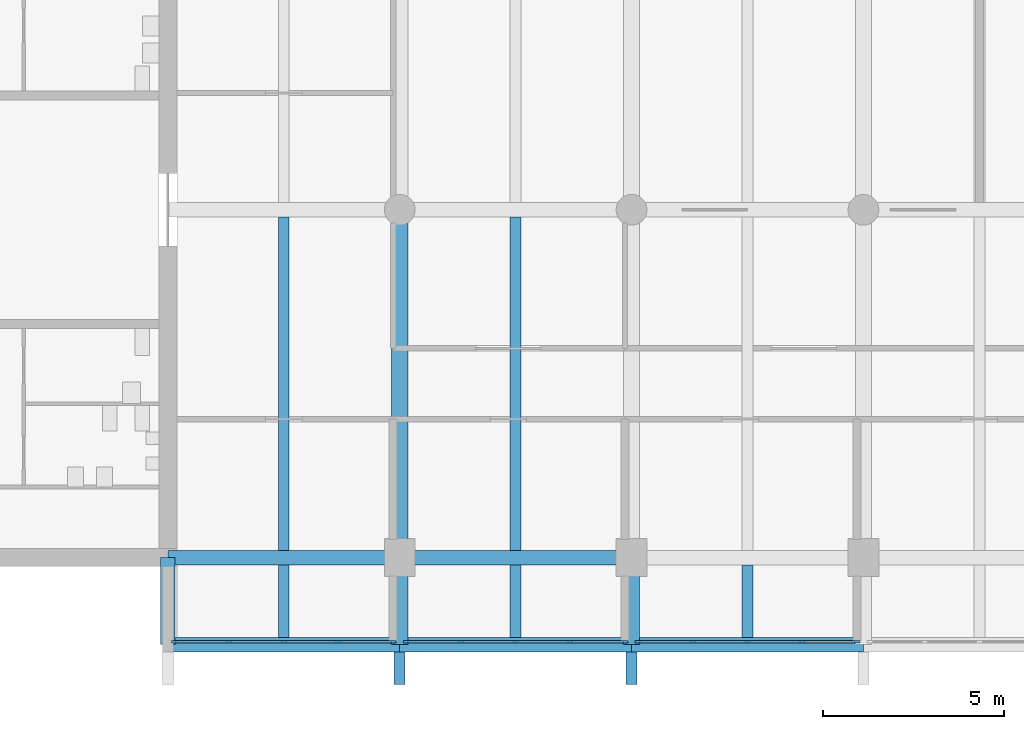
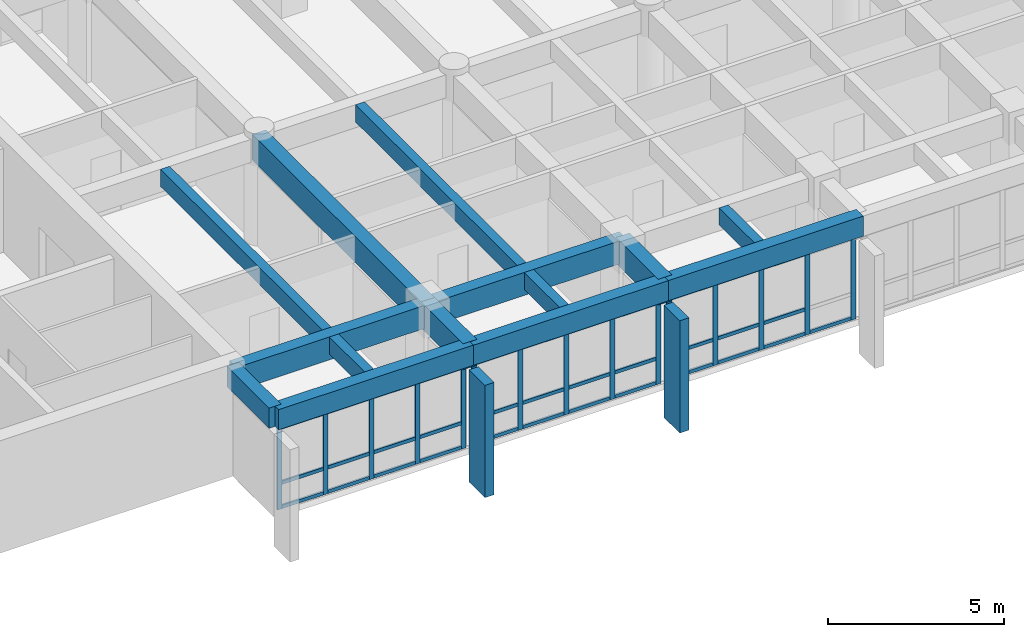
# One storey, part 2 of 15: 51 members, 14 beams, 3 elements without a shape of their own.
"""IFC4 building model written with IfcOpenShell, lengths in metres."""

from ifc_helpers import new_model, si_unit, direction, frame, origin, origin_2d, place, context, subcontext, project, spatial, rectangle, extrude, material, layer, layer_set, material_profile, profile_set, type_object, element, aggregate, save


model = new_model("IFC4")

# Units and contexts
model_context = context("Model", 3, precision=1e-05, world=origin(), true_north=direction((0.0, 1.0)))
body_context = subcontext(model_context, "Body", "Model", "MODEL_VIEW")
ifc_project = project(units=[si_unit("LENGTHUNIT", "METRE"), si_unit("AREAUNIT", "SQUARE_METRE"), si_unit("VOLUMEUNIT", "CUBIC_METRE"), si_unit("PLANEANGLEUNIT", "RADIAN"), si_unit("MASSUNIT", "GRAM", prefix="KILO")], contexts=[model_context])

# Site, building, storey
site_placement = place(None, origin())
site = spatial("IfcSite", under=ifc_project, at=site_placement, CompositionType="ELEMENT")
building_placement = place(site_placement, origin())
building = spatial("IfcBuilding", under=site, at=building_placement, Name="Fogon Plaza Fire Station and Headquarters Tower", CompositionType="ELEMENT")
storey_placement = place(building_placement, frame((0.0, 0.0, 56.10009765625)))
storey = spatial("IfcBuildingStorey", under=building, at=storey_placement, Name="L14", CompositionType="ELEMENT", Elevation=56.10009765625)

# Beams
ifc_material_1 = material(Name="Concrete C40", Category="concrete")
ifc_material_profile_1 = material_profile(ifc_material_1, rectangle(XDim=0.39990234375, YDim=0.699951171875, at=origin_2d()), Name="RC 400x700")
ifc_profile_set_1 = profile_set([ifc_material_profile_1], Name="Concrete C40")
beam_type_1 = type_object("IfcBeamType", Name="BEAM RC 400x700", PredefinedType="BEAM", material=ifc_profile_set_1)
for number, where, z_axis, x_axis, name in (
    (1, (25.60009765625, 31.199951171875, 3.329833984375), (1.0, 0.0, 0.0), (0.0, 1.0, 0.0), "beam-L14-039"),
    (2, (32.0, 31.199951171875, 3.329833984375), (1.0, 0.0, 0.0), (0.0, 1.0, 0.0), "beam-L14-040"),
):
    element("IfcBeam", number, at=place(storey_placement, frame(where, z_axis=z_axis, x_axis=x_axis)), inside=storey, type_object=beam_type_1, Name=name, PredefinedType="BEAM", context=body_context, shape_type="SweptSolid", body=[
        extrude(rectangle(XDim=0.39990234375, YDim=0.699951171875, at=origin_2d()), origin(), (0.0, 0.0, 1.0), 6.39990234375),
    ])
beam_1_placement = place(storey_placement, frame((38.39990234375, 31.199951171875, 3.329833984375), z_axis=(1.0, 0.0, 0.0), x_axis=(0.0, 1.0, 0.0)))
element("IfcBeam", 3, at=beam_1_placement, inside=storey, type_object=beam_type_1, Name="beam-L14-041", PredefinedType="BEAM", context=body_context, shape_type="SweptSolid", body=[
    extrude(rectangle(XDim=0.39990234375, YDim=0.699951171875, at=origin_2d()), origin(), (0.0, 0.0, 1.0), 6.400146484375),
])
ifc_material_2 = material(Name="Concrete C40", Category="concrete")
ifc_material_profile_2 = material_profile(ifc_material_2, rectangle(XDim=0.39990234375, YDim=0.699951171875, at=origin_2d()), Name="RC 400x700")
ifc_profile_set_2 = profile_set([ifc_material_profile_2], Name="Concrete C40")
beam_type_2 = type_object("IfcBeamType", Name="BEAM RC 400x700 SPAN 0.0 TO 3.0 M", PredefinedType="BEAM", material=ifc_profile_set_2)
beam_2_placement = place(storey_placement, frame((25.60009765625, 31.199951171875, 3.329833984375), z_axis=(0.0, 1.0, 0.0), x_axis=(-1.0, 0.0, 0.0)))
element("IfcBeam", 4, at=beam_2_placement, inside=storey, type_object=beam_type_2, Name="beam-L14-051", PredefinedType="BEAM", context=body_context, shape_type="SweptSolid", body=[
    extrude(rectangle(XDim=0.39990234375, YDim=0.699951171875, at=origin_2d()), origin(), (0.0, 0.0, 1.0), 2.400146484375),
])
ifc_material_3 = material(Name="Concrete C40", Category="concrete")
ifc_material_profile_3 = material_profile(ifc_material_3, rectangle(XDim=0.39990234375, YDim=0.800048828125, at=origin_2d()), Name="RC 400x800")
ifc_profile_set_3 = profile_set([ifc_material_profile_3], Name="Concrete C40")
beam_type_3 = type_object("IfcBeamType", Name="BEAM RC 400x800", PredefinedType="BEAM", material=ifc_profile_set_3)
for number, where, z_axis, x_axis, name in (
    (5, (25.60009765625, 33.60009765625, 3.27978515625), (1.0, 0.0, 0.0), (0.0, 1.0, 0.0), "beam-L14-021"),
    (6, (32.0, 33.60009765625, 3.27978515625), (1.0, 0.0, 0.0), (0.0, 1.0, 0.0), "beam-L14-022"),
):
    element("IfcBeam", number, at=place(storey_placement, frame(where, z_axis=z_axis, x_axis=x_axis)), inside=storey, type_object=beam_type_3, Name=name, PredefinedType="BEAM", context=body_context, shape_type="SweptSolid", body=[
        extrude(rectangle(XDim=0.39990234375, YDim=0.800048828125, at=origin_2d()), origin(), (0.0, 0.0, 1.0), 6.39990234375),
    ])
ifc_material_4 = material(Name="Concrete C40", Category="concrete")
ifc_material_profile_4 = material_profile(ifc_material_4, rectangle(XDim=0.449951171875, YDim=0.89990234375, at=origin_2d()), Name="RC 450x900")
ifc_profile_set_4 = profile_set([ifc_material_profile_4], Name="Concrete C40")
beam_type_4 = type_object("IfcBeamType", Name="BEAM RC 450x900", PredefinedType="BEAM", material=ifc_profile_set_4)
beam_3_placement = place(storey_placement, frame((32.0, 33.60009765625, 3.22998046875), z_axis=(0.0, 1.0, 0.0), x_axis=(-1.0, 0.0, 0.0)))
element("IfcBeam", 7, at=beam_3_placement, inside=storey, type_object=beam_type_4, Name="beam-L14-002", PredefinedType="BEAM", context=body_context, shape_type="SweptSolid", body=[
    extrude(rectangle(XDim=0.449951171875, YDim=0.89990234375, at=origin_2d()), origin(), (0.0, 0.0, 1.0), 9.599853515625),
])
ifc_material_5 = material(Name="Concrete C40", Category="concrete")
ifc_material_profile_5 = material_profile(ifc_material_5, rectangle(XDim=0.449951171875, YDim=0.89990234375, at=origin_2d()), Name="RC 450x900")
ifc_profile_set_5 = profile_set([ifc_material_profile_5], Name="Concrete C40")
beam_type_5 = type_object("IfcBeamType", Name="BEAM RC 450x900 SPAN 0.0 TO 3.0 M", PredefinedType="BEAM", material=ifc_profile_set_5)
for number, where, z_axis, x_axis, name in (
    (8, (32.0, 31.199951171875, 3.22998046875), (0.0, 1.0, 0.0), (-1.0, 0.0, 0.0), "beam-L14-001"),
    (9, (38.39990234375, 31.199951171875, 3.22998046875), (0.0, 1.0, 0.0), (-1.0, 0.0, 0.0), "beam-L14-005"),
):
    element("IfcBeam", number, at=place(storey_placement, frame(where, z_axis=z_axis, x_axis=x_axis)), inside=storey, type_object=beam_type_5, Name=name, PredefinedType="BEAM", context=body_context, shape_type="SweptSolid", body=[
        extrude(rectangle(XDim=0.449951171875, YDim=0.89990234375, at=origin_2d()), origin(), (0.0, 0.0, 1.0), 2.400146484375),
    ])

# Curtain wall, members
ifc_material_6 = material(Name="Aluminium and glass", Category="aluminium")
ifc_layer = layer(ifc_material_6, 0.14990234375)
ifc_layer_set = layer_set([ifc_layer], Name="Aluminium and glass")
curtain_wall_type = type_object("IfcCurtainWallType", Name="Unitised Curtain Wall Run 6100x2880", PredefinedType="NOTDEFINED", material=ifc_layer_set)
curtain_wall_1_placement = place(storey_placement, origin())
curtain_wall_1 = element("IfcCurtainWall", 10, at=curtain_wall_1_placement, inside=storey, type_object=curtain_wall_type, Name="CW-6100x2880 S1 L14", PredefinedType="NOTDEFINED")
ifc_material_7 = material(Name="Aluminium", Category="aluminium")
ifc_material_profile_6 = material_profile(ifc_material_7, rectangle(XDim=0.06005859375, YDim=0.159912109375, at=origin_2d()), Name="Curtain Wall Mullion 60x160")
ifc_profile_set_6 = profile_set([ifc_material_profile_6], Name="Aluminium")
member_type_1 = type_object("IfcMemberType", Name="Curtain Wall Mullion 60x160", PredefinedType="MULLION", material=ifc_profile_set_6)
member_1_placement = place(storey_placement, frame((25.780029296875, 31.280029296875, 0.0), z_axis=(0.0, 0.0, 1.0), x_axis=(0.0, 1.0, 0.0)))
member_1 = element("IfcMember", 11, at=member_1_placement, type_object=member_type_1, Name="CW-6100x2880 mullion 1", PredefinedType="MULLION", context=body_context, shape_type="SweptSolid", body=[
    extrude(rectangle(XDim=0.06005859375, YDim=0.159912109375, at=origin_2d()), origin(), (0.0, 0.0, 1.0), 2.8798828125),
])
member_2_placement = place(storey_placement, frame((27.2900390625, 31.280029296875, 0.0), z_axis=(0.0, 0.0, 1.0), x_axis=(0.0, 1.0, 0.0)))
member_2 = element("IfcMember", 12, at=member_2_placement, type_object=member_type_1, Name="CW-6100x2880 mullion 2", PredefinedType="MULLION", context=body_context, shape_type="SweptSolid", body=[
    extrude(rectangle(XDim=0.06005859375, YDim=0.159912109375, at=origin_2d()), origin(), (0.0, 0.0, 1.0), 2.8798828125),
])
member_3_placement = place(storey_placement, frame((28.800048828125, 31.280029296875, 0.0), z_axis=(0.0, 0.0, 1.0), x_axis=(0.0, 1.0, 0.0)))
member_3 = element("IfcMember", 13, at=member_3_placement, type_object=member_type_1, Name="CW-6100x2880 mullion 3", PredefinedType="MULLION", context=body_context, shape_type="SweptSolid", body=[
    extrude(rectangle(XDim=0.06005859375, YDim=0.159912109375, at=origin_2d()), origin(), (0.0, 0.0, 1.0), 2.8798828125),
])
member_4_placement = place(storey_placement, frame((30.31005859375, 31.280029296875, 0.0), z_axis=(0.0, 0.0, 1.0), x_axis=(0.0, 1.0, 0.0)))
member_4 = element("IfcMember", 14, at=member_4_placement, type_object=member_type_1, Name="CW-6100x2880 mullion 4", PredefinedType="MULLION", context=body_context, shape_type="SweptSolid", body=[
    extrude(rectangle(XDim=0.06005859375, YDim=0.159912109375, at=origin_2d()), origin(), (0.0, 0.0, 1.0), 2.8798828125),
])
member_5_placement = place(storey_placement, frame((31.820068359375, 31.280029296875, 0.0), z_axis=(0.0, 0.0, 1.0), x_axis=(0.0, 1.0, 0.0)))
member_5 = element("IfcMember", 15, at=member_5_placement, type_object=member_type_1, Name="CW-6100x2880 mullion 5", PredefinedType="MULLION", context=body_context, shape_type="SweptSolid", body=[
    extrude(rectangle(XDim=0.06005859375, YDim=0.159912109375, at=origin_2d()), origin(), (0.0, 0.0, 1.0), 2.8798828125),
])

curtain_wall_2_placement = place(storey_placement, origin())
curtain_wall_2 = element("IfcCurtainWall", 16, at=curtain_wall_2_placement, inside=storey, type_object=curtain_wall_type, Name="CW-6100x2880 S2 L14", PredefinedType="NOTDEFINED")
member_6_placement = place(storey_placement, frame((32.179931640625, 31.280029296875, 0.0), z_axis=(0.0, 0.0, 1.0), x_axis=(0.0, 1.0, 0.0)))
member_6 = element("IfcMember", 17, at=member_6_placement, type_object=member_type_1, Name="CW-6100x2880 mullion 1", PredefinedType="MULLION", context=body_context, shape_type="SweptSolid", body=[
    extrude(rectangle(XDim=0.06005859375, YDim=0.159912109375, at=origin_2d()), origin(), (0.0, 0.0, 1.0), 2.8798828125),
])
member_7_placement = place(storey_placement, frame((33.68994140625, 31.280029296875, 0.0), z_axis=(0.0, 0.0, 1.0), x_axis=(0.0, 1.0, 0.0)))
member_7 = element("IfcMember", 18, at=member_7_placement, type_object=member_type_1, Name="CW-6100x2880 mullion 2", PredefinedType="MULLION", context=body_context, shape_type="SweptSolid", body=[
    extrude(rectangle(XDim=0.06005859375, YDim=0.159912109375, at=origin_2d()), origin(), (0.0, 0.0, 1.0), 2.8798828125),
])
member_8_placement = place(storey_placement, frame((35.199951171875, 31.280029296875, 0.0), z_axis=(0.0, 0.0, 1.0), x_axis=(0.0, 1.0, 0.0)))
member_8 = element("IfcMember", 19, at=member_8_placement, type_object=member_type_1, Name="CW-6100x2880 mullion 3", PredefinedType="MULLION", context=body_context, shape_type="SweptSolid", body=[
    extrude(rectangle(XDim=0.06005859375, YDim=0.159912109375, at=origin_2d()), origin(), (0.0, 0.0, 1.0), 2.8798828125),
])
member_9_placement = place(storey_placement, frame((36.7099609375, 31.280029296875, 0.0), z_axis=(0.0, 0.0, 1.0), x_axis=(0.0, 1.0, 0.0)))
member_9 = element("IfcMember", 20, at=member_9_placement, type_object=member_type_1, Name="CW-6100x2880 mullion 4", PredefinedType="MULLION", context=body_context, shape_type="SweptSolid", body=[
    extrude(rectangle(XDim=0.06005859375, YDim=0.159912109375, at=origin_2d()), origin(), (0.0, 0.0, 1.0), 2.8798828125),
])
member_10_placement = place(storey_placement, frame((38.219970703125, 31.280029296875, 0.0), z_axis=(0.0, 0.0, 1.0), x_axis=(0.0, 1.0, 0.0)))
member_10 = element("IfcMember", 21, at=member_10_placement, type_object=member_type_1, Name="CW-6100x2880 mullion 5", PredefinedType="MULLION", context=body_context, shape_type="SweptSolid", body=[
    extrude(rectangle(XDim=0.06005859375, YDim=0.159912109375, at=origin_2d()), origin(), (0.0, 0.0, 1.0), 2.8798828125),
])

curtain_wall_3_placement = place(storey_placement, origin())
curtain_wall_3 = element("IfcCurtainWall", 22, at=curtain_wall_3_placement, inside=storey, type_object=curtain_wall_type, Name="CW-6100x2880 S3 L14", PredefinedType="NOTDEFINED")
member_11_placement = place(storey_placement, frame((38.580078125, 31.280029296875, 0.0), z_axis=(0.0, 0.0, 1.0), x_axis=(0.0, 1.0, 0.0)))
member_11 = element("IfcMember", 23, at=member_11_placement, type_object=member_type_1, Name="CW-6100x2880 mullion 1", PredefinedType="MULLION", context=body_context, shape_type="SweptSolid", body=[
    extrude(rectangle(XDim=0.06005859375, YDim=0.159912109375, at=origin_2d()), origin(), (0.0, 0.0, 1.0), 2.8798828125),
])
member_12_placement = place(storey_placement, frame((40.090087890625, 31.280029296875, 0.0), z_axis=(0.0, 0.0, 1.0), x_axis=(0.0, 1.0, 0.0)))
member_12 = element("IfcMember", 24, at=member_12_placement, type_object=member_type_1, Name="CW-6100x2880 mullion 2", PredefinedType="MULLION", context=body_context, shape_type="SweptSolid", body=[
    extrude(rectangle(XDim=0.06005859375, YDim=0.159912109375, at=origin_2d()), origin(), (0.0, 0.0, 1.0), 2.8798828125),
])
member_13_placement = place(storey_placement, frame((41.60009765625, 31.280029296875, 0.0), z_axis=(0.0, 0.0, 1.0), x_axis=(0.0, 1.0, 0.0)))
member_13 = element("IfcMember", 25, at=member_13_placement, type_object=member_type_1, Name="CW-6100x2880 mullion 3", PredefinedType="MULLION", context=body_context, shape_type="SweptSolid", body=[
    extrude(rectangle(XDim=0.06005859375, YDim=0.159912109375, at=origin_2d()), origin(), (0.0, 0.0, 1.0), 2.8798828125),
])
member_14_placement = place(storey_placement, frame((43.110107421875, 31.280029296875, 0.0), z_axis=(0.0, 0.0, 1.0), x_axis=(0.0, 1.0, 0.0)))
member_14 = element("IfcMember", 26, at=member_14_placement, type_object=member_type_1, Name="CW-6100x2880 mullion 4", PredefinedType="MULLION", context=body_context, shape_type="SweptSolid", body=[
    extrude(rectangle(XDim=0.06005859375, YDim=0.159912109375, at=origin_2d()), origin(), (0.0, 0.0, 1.0), 2.8798828125),
])
member_15_placement = place(storey_placement, frame((44.6201171875, 31.280029296875, 0.0), z_axis=(0.0, 0.0, 1.0), x_axis=(0.0, 1.0, 0.0)))
member_15 = element("IfcMember", 27, at=member_15_placement, type_object=member_type_1, Name="CW-6100x2880 mullion 5", PredefinedType="MULLION", context=body_context, shape_type="SweptSolid", body=[
    extrude(rectangle(XDim=0.06005859375, YDim=0.159912109375, at=origin_2d()), origin(), (0.0, 0.0, 1.0), 2.8798828125),
])

# Member
ifc_material_8 = material(Name="Aluminium", Category="aluminium")
ifc_material_profile_7 = material_profile(ifc_material_8, rectangle(XDim=0.06005859375, YDim=0.1201171875, at=origin_2d()), Name="Curtain Wall Transom 60x120")
ifc_profile_set_7 = profile_set([ifc_material_profile_7], Name="Aluminium")
member_type_2 = type_object("IfcMemberType", Name="Curtain Wall Transom 60x120", PredefinedType="USERDEFINED", material=ifc_profile_set_7)
member_16_placement = place(storey_placement, frame((25.81005859375, 31.280029296875, 0.059814453125), z_axis=(1.0, 0.0, 0.0), x_axis=(0.0, 1.0, 0.0)))
member_16 = element("IfcMember", 28, at=member_16_placement, type_object=member_type_2, Name="CW-6100x2880 transom 1.1", ObjectType="TRANSOM", PredefinedType="USERDEFINED", context=body_context, shape_type="SweptSolid", body=[
    extrude(rectangle(XDim=0.06005859375, YDim=0.1201171875, at=origin_2d()), origin(), (0.0, 0.0, 1.0), 1.449951171875),
])

member_17_placement = place(storey_placement, frame((25.81005859375, 31.280029296875, 0.89990234375), z_axis=(1.0, 0.0, 0.0), x_axis=(0.0, 1.0, 0.0)))
member_17 = element("IfcMember", 29, at=member_17_placement, type_object=member_type_2, Name="CW-6100x2880 transom 1.2", ObjectType="TRANSOM", PredefinedType="USERDEFINED", context=body_context, shape_type="SweptSolid", body=[
    extrude(rectangle(XDim=0.06005859375, YDim=0.1201171875, at=origin_2d()), origin(), (0.0, 0.0, 1.0), 1.449951171875),
])

member_18_placement = place(storey_placement, frame((25.81005859375, 31.280029296875, 2.81982421875), z_axis=(1.0, 0.0, 0.0), x_axis=(0.0, 1.0, 0.0)))
member_18 = element("IfcMember", 30, at=member_18_placement, type_object=member_type_2, Name="CW-6100x2880 transom 1.3", ObjectType="TRANSOM", PredefinedType="USERDEFINED", context=body_context, shape_type="SweptSolid", body=[
    extrude(rectangle(XDim=0.06005859375, YDim=0.1201171875, at=origin_2d()), origin(), (0.0, 0.0, 1.0), 1.449951171875),
])

member_19_placement = place(storey_placement, frame((27.320068359375, 31.280029296875, 0.059814453125), z_axis=(1.0, 0.0, 0.0), x_axis=(0.0, 1.0, 0.0)))
member_19 = element("IfcMember", 31, at=member_19_placement, type_object=member_type_2, Name="CW-6100x2880 transom 2.1", ObjectType="TRANSOM", PredefinedType="USERDEFINED", context=body_context, shape_type="SweptSolid", body=[
    extrude(rectangle(XDim=0.06005859375, YDim=0.1201171875, at=origin_2d()), origin(), (0.0, 0.0, 1.0), 1.449951171875),
])

member_20_placement = place(storey_placement, frame((27.320068359375, 31.280029296875, 0.89990234375), z_axis=(1.0, 0.0, 0.0), x_axis=(0.0, 1.0, 0.0)))
member_20 = element("IfcMember", 32, at=member_20_placement, type_object=member_type_2, Name="CW-6100x2880 transom 2.2", ObjectType="TRANSOM", PredefinedType="USERDEFINED", context=body_context, shape_type="SweptSolid", body=[
    extrude(rectangle(XDim=0.06005859375, YDim=0.1201171875, at=origin_2d()), origin(), (0.0, 0.0, 1.0), 1.449951171875),
])

member_21_placement = place(storey_placement, frame((27.320068359375, 31.280029296875, 2.81982421875), z_axis=(1.0, 0.0, 0.0), x_axis=(0.0, 1.0, 0.0)))
member_21 = element("IfcMember", 33, at=member_21_placement, type_object=member_type_2, Name="CW-6100x2880 transom 2.3", ObjectType="TRANSOM", PredefinedType="USERDEFINED", context=body_context, shape_type="SweptSolid", body=[
    extrude(rectangle(XDim=0.06005859375, YDim=0.1201171875, at=origin_2d()), origin(), (0.0, 0.0, 1.0), 1.449951171875),
])

member_22_placement = place(storey_placement, frame((28.830078125, 31.280029296875, 0.059814453125), z_axis=(1.0, 0.0, 0.0), x_axis=(0.0, 1.0, 0.0)))
member_22 = element("IfcMember", 34, at=member_22_placement, type_object=member_type_2, Name="CW-6100x2880 transom 3.1", ObjectType="TRANSOM", PredefinedType="USERDEFINED", context=body_context, shape_type="SweptSolid", body=[
    extrude(rectangle(XDim=0.06005859375, YDim=0.1201171875, at=origin_2d()), origin(), (0.0, 0.0, 1.0), 1.449951171875),
])

member_23_placement = place(storey_placement, frame((28.830078125, 31.280029296875, 0.89990234375), z_axis=(1.0, 0.0, 0.0), x_axis=(0.0, 1.0, 0.0)))
member_23 = element("IfcMember", 35, at=member_23_placement, type_object=member_type_2, Name="CW-6100x2880 transom 3.2", ObjectType="TRANSOM", PredefinedType="USERDEFINED", context=body_context, shape_type="SweptSolid", body=[
    extrude(rectangle(XDim=0.06005859375, YDim=0.1201171875, at=origin_2d()), origin(), (0.0, 0.0, 1.0), 1.449951171875),
])

member_24_placement = place(storey_placement, frame((28.830078125, 31.280029296875, 2.81982421875), z_axis=(1.0, 0.0, 0.0), x_axis=(0.0, 1.0, 0.0)))
member_24 = element("IfcMember", 36, at=member_24_placement, type_object=member_type_2, Name="CW-6100x2880 transom 3.3", ObjectType="TRANSOM", PredefinedType="USERDEFINED", context=body_context, shape_type="SweptSolid", body=[
    extrude(rectangle(XDim=0.06005859375, YDim=0.1201171875, at=origin_2d()), origin(), (0.0, 0.0, 1.0), 1.449951171875),
])

member_25_placement = place(storey_placement, frame((30.340087890625, 31.280029296875, 0.059814453125), z_axis=(1.0, 0.0, 0.0), x_axis=(0.0, 1.0, 0.0)))
member_25 = element("IfcMember", 37, at=member_25_placement, type_object=member_type_2, Name="CW-6100x2880 transom 4.1", ObjectType="TRANSOM", PredefinedType="USERDEFINED", context=body_context, shape_type="SweptSolid", body=[
    extrude(rectangle(XDim=0.06005859375, YDim=0.1201171875, at=origin_2d()), origin(), (0.0, 0.0, 1.0), 1.449951171875),
])

member_26_placement = place(storey_placement, frame((30.340087890625, 31.280029296875, 0.89990234375), z_axis=(1.0, 0.0, 0.0), x_axis=(0.0, 1.0, 0.0)))
member_26 = element("IfcMember", 38, at=member_26_placement, type_object=member_type_2, Name="CW-6100x2880 transom 4.2", ObjectType="TRANSOM", PredefinedType="USERDEFINED", context=body_context, shape_type="SweptSolid", body=[
    extrude(rectangle(XDim=0.06005859375, YDim=0.1201171875, at=origin_2d()), origin(), (0.0, 0.0, 1.0), 1.449951171875),
])

member_27_placement = place(storey_placement, frame((30.340087890625, 31.280029296875, 2.81982421875), z_axis=(1.0, 0.0, 0.0), x_axis=(0.0, 1.0, 0.0)))
member_27 = element("IfcMember", 39, at=member_27_placement, type_object=member_type_2, Name="CW-6100x2880 transom 4.3", ObjectType="TRANSOM", PredefinedType="USERDEFINED", context=body_context, shape_type="SweptSolid", body=[
    extrude(rectangle(XDim=0.06005859375, YDim=0.1201171875, at=origin_2d()), origin(), (0.0, 0.0, 1.0), 1.449951171875),
])

aggregate(curtain_wall_1, [member_1, member_2, member_3, member_4, member_5, member_16, member_17, member_18, member_19, member_20, member_21, member_22, member_23, member_24, member_25, member_26, member_27])

member_28_placement = place(storey_placement, frame((32.2099609375, 31.280029296875, 0.059814453125), z_axis=(1.0, 0.0, 0.0), x_axis=(0.0, 1.0, 0.0)))
member_28 = element("IfcMember", 40, at=member_28_placement, type_object=member_type_2, Name="CW-6100x2880 transom 1.1", ObjectType="TRANSOM", PredefinedType="USERDEFINED", context=body_context, shape_type="SweptSolid", body=[
    extrude(rectangle(XDim=0.06005859375, YDim=0.1201171875, at=origin_2d()), origin(), (0.0, 0.0, 1.0), 1.449951171875),
])

member_29_placement = place(storey_placement, frame((32.2099609375, 31.280029296875, 0.89990234375), z_axis=(1.0, 0.0, 0.0), x_axis=(0.0, 1.0, 0.0)))
member_29 = element("IfcMember", 41, at=member_29_placement, type_object=member_type_2, Name="CW-6100x2880 transom 1.2", ObjectType="TRANSOM", PredefinedType="USERDEFINED", context=body_context, shape_type="SweptSolid", body=[
    extrude(rectangle(XDim=0.06005859375, YDim=0.1201171875, at=origin_2d()), origin(), (0.0, 0.0, 1.0), 1.449951171875),
])

member_30_placement = place(storey_placement, frame((32.2099609375, 31.280029296875, 2.81982421875), z_axis=(1.0, 0.0, 0.0), x_axis=(0.0, 1.0, 0.0)))
member_30 = element("IfcMember", 42, at=member_30_placement, type_object=member_type_2, Name="CW-6100x2880 transom 1.3", ObjectType="TRANSOM", PredefinedType="USERDEFINED", context=body_context, shape_type="SweptSolid", body=[
    extrude(rectangle(XDim=0.06005859375, YDim=0.1201171875, at=origin_2d()), origin(), (0.0, 0.0, 1.0), 1.449951171875),
])

member_31_placement = place(storey_placement, frame((33.719970703125, 31.280029296875, 0.059814453125), z_axis=(1.0, 0.0, 0.0), x_axis=(0.0, 1.0, 0.0)))
member_31 = element("IfcMember", 43, at=member_31_placement, type_object=member_type_2, Name="CW-6100x2880 transom 2.1", ObjectType="TRANSOM", PredefinedType="USERDEFINED", context=body_context, shape_type="SweptSolid", body=[
    extrude(rectangle(XDim=0.06005859375, YDim=0.1201171875, at=origin_2d()), origin(), (0.0, 0.0, 1.0), 1.449951171875),
])

member_32_placement = place(storey_placement, frame((33.719970703125, 31.280029296875, 0.89990234375), z_axis=(1.0, 0.0, 0.0), x_axis=(0.0, 1.0, 0.0)))
member_32 = element("IfcMember", 44, at=member_32_placement, type_object=member_type_2, Name="CW-6100x2880 transom 2.2", ObjectType="TRANSOM", PredefinedType="USERDEFINED", context=body_context, shape_type="SweptSolid", body=[
    extrude(rectangle(XDim=0.06005859375, YDim=0.1201171875, at=origin_2d()), origin(), (0.0, 0.0, 1.0), 1.449951171875),
])

member_33_placement = place(storey_placement, frame((33.719970703125, 31.280029296875, 2.81982421875), z_axis=(1.0, 0.0, 0.0), x_axis=(0.0, 1.0, 0.0)))
member_33 = element("IfcMember", 45, at=member_33_placement, type_object=member_type_2, Name="CW-6100x2880 transom 2.3", ObjectType="TRANSOM", PredefinedType="USERDEFINED", context=body_context, shape_type="SweptSolid", body=[
    extrude(rectangle(XDim=0.06005859375, YDim=0.1201171875, at=origin_2d()), origin(), (0.0, 0.0, 1.0), 1.449951171875),
])

member_34_placement = place(storey_placement, frame((35.22998046875, 31.280029296875, 0.059814453125), z_axis=(1.0, 0.0, 0.0), x_axis=(0.0, 1.0, 0.0)))
member_34 = element("IfcMember", 46, at=member_34_placement, type_object=member_type_2, Name="CW-6100x2880 transom 3.1", ObjectType="TRANSOM", PredefinedType="USERDEFINED", context=body_context, shape_type="SweptSolid", body=[
    extrude(rectangle(XDim=0.06005859375, YDim=0.1201171875, at=origin_2d()), origin(), (0.0, 0.0, 1.0), 1.449951171875),
])

member_35_placement = place(storey_placement, frame((35.22998046875, 31.280029296875, 0.89990234375), z_axis=(1.0, 0.0, 0.0), x_axis=(0.0, 1.0, 0.0)))
member_35 = element("IfcMember", 47, at=member_35_placement, type_object=member_type_2, Name="CW-6100x2880 transom 3.2", ObjectType="TRANSOM", PredefinedType="USERDEFINED", context=body_context, shape_type="SweptSolid", body=[
    extrude(rectangle(XDim=0.06005859375, YDim=0.1201171875, at=origin_2d()), origin(), (0.0, 0.0, 1.0), 1.449951171875),
])

member_36_placement = place(storey_placement, frame((35.22998046875, 31.280029296875, 2.81982421875), z_axis=(1.0, 0.0, 0.0), x_axis=(0.0, 1.0, 0.0)))
member_36 = element("IfcMember", 48, at=member_36_placement, type_object=member_type_2, Name="CW-6100x2880 transom 3.3", ObjectType="TRANSOM", PredefinedType="USERDEFINED", context=body_context, shape_type="SweptSolid", body=[
    extrude(rectangle(XDim=0.06005859375, YDim=0.1201171875, at=origin_2d()), origin(), (0.0, 0.0, 1.0), 1.449951171875),
])

member_37_placement = place(storey_placement, frame((36.739990234375, 31.280029296875, 0.059814453125), z_axis=(1.0, 0.0, 0.0), x_axis=(0.0, 1.0, 0.0)))
member_37 = element("IfcMember", 49, at=member_37_placement, type_object=member_type_2, Name="CW-6100x2880 transom 4.1", ObjectType="TRANSOM", PredefinedType="USERDEFINED", context=body_context, shape_type="SweptSolid", body=[
    extrude(rectangle(XDim=0.06005859375, YDim=0.1201171875, at=origin_2d()), origin(), (0.0, 0.0, 1.0), 1.449951171875),
])

member_38_placement = place(storey_placement, frame((36.739990234375, 31.280029296875, 0.89990234375), z_axis=(1.0, 0.0, 0.0), x_axis=(0.0, 1.0, 0.0)))
member_38 = element("IfcMember", 50, at=member_38_placement, type_object=member_type_2, Name="CW-6100x2880 transom 4.2", ObjectType="TRANSOM", PredefinedType="USERDEFINED", context=body_context, shape_type="SweptSolid", body=[
    extrude(rectangle(XDim=0.06005859375, YDim=0.1201171875, at=origin_2d()), origin(), (0.0, 0.0, 1.0), 1.449951171875),
])

member_39_placement = place(storey_placement, frame((36.739990234375, 31.280029296875, 2.81982421875), z_axis=(1.0, 0.0, 0.0), x_axis=(0.0, 1.0, 0.0)))
member_39 = element("IfcMember", 51, at=member_39_placement, type_object=member_type_2, Name="CW-6100x2880 transom 4.3", ObjectType="TRANSOM", PredefinedType="USERDEFINED", context=body_context, shape_type="SweptSolid", body=[
    extrude(rectangle(XDim=0.06005859375, YDim=0.1201171875, at=origin_2d()), origin(), (0.0, 0.0, 1.0), 1.449951171875),
])

aggregate(curtain_wall_2, [member_6, member_7, member_8, member_9, member_10, member_28, member_29, member_30, member_31, member_32, member_33, member_34, member_35, member_36, member_37, member_38, member_39])

member_40_placement = place(storey_placement, frame((38.610107421875, 31.280029296875, 0.059814453125), z_axis=(1.0, 0.0, 0.0), x_axis=(0.0, 1.0, 0.0)))
member_40 = element("IfcMember", 52, at=member_40_placement, type_object=member_type_2, Name="CW-6100x2880 transom 1.1", ObjectType="TRANSOM", PredefinedType="USERDEFINED", context=body_context, shape_type="SweptSolid", body=[
    extrude(rectangle(XDim=0.06005859375, YDim=0.1201171875, at=origin_2d()), origin(), (0.0, 0.0, 1.0), 1.449951171875),
])

member_41_placement = place(storey_placement, frame((38.610107421875, 31.280029296875, 0.89990234375), z_axis=(1.0, 0.0, 0.0), x_axis=(0.0, 1.0, 0.0)))
member_41 = element("IfcMember", 53, at=member_41_placement, type_object=member_type_2, Name="CW-6100x2880 transom 1.2", ObjectType="TRANSOM", PredefinedType="USERDEFINED", context=body_context, shape_type="SweptSolid", body=[
    extrude(rectangle(XDim=0.06005859375, YDim=0.1201171875, at=origin_2d()), origin(), (0.0, 0.0, 1.0), 1.449951171875),
])

member_42_placement = place(storey_placement, frame((38.610107421875, 31.280029296875, 2.81982421875), z_axis=(1.0, 0.0, 0.0), x_axis=(0.0, 1.0, 0.0)))
member_42 = element("IfcMember", 54, at=member_42_placement, type_object=member_type_2, Name="CW-6100x2880 transom 1.3", ObjectType="TRANSOM", PredefinedType="USERDEFINED", context=body_context, shape_type="SweptSolid", body=[
    extrude(rectangle(XDim=0.06005859375, YDim=0.1201171875, at=origin_2d()), origin(), (0.0, 0.0, 1.0), 1.449951171875),
])

member_43_placement = place(storey_placement, frame((40.1201171875, 31.280029296875, 0.059814453125), z_axis=(1.0, 0.0, 0.0), x_axis=(0.0, 1.0, 0.0)))
member_43 = element("IfcMember", 55, at=member_43_placement, type_object=member_type_2, Name="CW-6100x2880 transom 2.1", ObjectType="TRANSOM", PredefinedType="USERDEFINED", context=body_context, shape_type="SweptSolid", body=[
    extrude(rectangle(XDim=0.06005859375, YDim=0.1201171875, at=origin_2d()), origin(), (0.0, 0.0, 1.0), 1.449951171875),
])

member_44_placement = place(storey_placement, frame((40.1201171875, 31.280029296875, 0.89990234375), z_axis=(1.0, 0.0, 0.0), x_axis=(0.0, 1.0, 0.0)))
member_44 = element("IfcMember", 56, at=member_44_placement, type_object=member_type_2, Name="CW-6100x2880 transom 2.2", ObjectType="TRANSOM", PredefinedType="USERDEFINED", context=body_context, shape_type="SweptSolid", body=[
    extrude(rectangle(XDim=0.06005859375, YDim=0.1201171875, at=origin_2d()), origin(), (0.0, 0.0, 1.0), 1.449951171875),
])

member_45_placement = place(storey_placement, frame((40.1201171875, 31.280029296875, 2.81982421875), z_axis=(1.0, 0.0, 0.0), x_axis=(0.0, 1.0, 0.0)))
member_45 = element("IfcMember", 57, at=member_45_placement, type_object=member_type_2, Name="CW-6100x2880 transom 2.3", ObjectType="TRANSOM", PredefinedType="USERDEFINED", context=body_context, shape_type="SweptSolid", body=[
    extrude(rectangle(XDim=0.06005859375, YDim=0.1201171875, at=origin_2d()), origin(), (0.0, 0.0, 1.0), 1.449951171875),
])

member_46_placement = place(storey_placement, frame((41.6298828125, 31.280029296875, 0.059814453125), z_axis=(1.0, 0.0, 0.0), x_axis=(0.0, 1.0, 0.0)))
member_46 = element("IfcMember", 58, at=member_46_placement, type_object=member_type_2, Name="CW-6100x2880 transom 3.1", ObjectType="TRANSOM", PredefinedType="USERDEFINED", context=body_context, shape_type="SweptSolid", body=[
    extrude(rectangle(XDim=0.06005859375, YDim=0.1201171875, at=origin_2d()), origin(), (0.0, 0.0, 1.0), 1.4501953125),
])

member_47_placement = place(storey_placement, frame((41.6298828125, 31.280029296875, 0.89990234375), z_axis=(1.0, 0.0, 0.0), x_axis=(0.0, 1.0, 0.0)))
member_47 = element("IfcMember", 59, at=member_47_placement, type_object=member_type_2, Name="CW-6100x2880 transom 3.2", ObjectType="TRANSOM", PredefinedType="USERDEFINED", context=body_context, shape_type="SweptSolid", body=[
    extrude(rectangle(XDim=0.06005859375, YDim=0.1201171875, at=origin_2d()), origin(), (0.0, 0.0, 1.0), 1.4501953125),
])

member_48_placement = place(storey_placement, frame((41.6298828125, 31.280029296875, 2.81982421875), z_axis=(1.0, 0.0, 0.0), x_axis=(0.0, 1.0, 0.0)))
member_48 = element("IfcMember", 60, at=member_48_placement, type_object=member_type_2, Name="CW-6100x2880 transom 3.3", ObjectType="TRANSOM", PredefinedType="USERDEFINED", context=body_context, shape_type="SweptSolid", body=[
    extrude(rectangle(XDim=0.06005859375, YDim=0.1201171875, at=origin_2d()), origin(), (0.0, 0.0, 1.0), 1.4501953125),
])

member_49_placement = place(storey_placement, frame((43.139892578125, 31.280029296875, 0.059814453125), z_axis=(1.0, 0.0, 0.0), x_axis=(0.0, 1.0, 0.0)))
member_49 = element("IfcMember", 61, at=member_49_placement, type_object=member_type_2, Name="CW-6100x2880 transom 4.1", ObjectType="TRANSOM", PredefinedType="USERDEFINED", context=body_context, shape_type="SweptSolid", body=[
    extrude(rectangle(XDim=0.06005859375, YDim=0.1201171875, at=origin_2d()), origin(), (0.0, 0.0, 1.0), 1.4501953125),
])

aggregate(curtain_wall_3, [member_11, member_12, member_13, member_14, member_15, member_40, member_41, member_42, member_43, member_44, member_45, member_46, member_47, member_48, member_49])

# Beams
ifc_material_9 = material(Name="Concrete C40", Category="concrete")
ifc_material_profile_8 = material_profile(ifc_material_9, rectangle(XDim=0.300048828125, YDim=0.60009765625, at=origin_2d()), Name="RC 300x600")
ifc_profile_set_8 = profile_set([ifc_material_profile_8], Name="Concrete C40")
beam_type_6 = type_object("IfcBeamType", Name="JOIST RC 300x600", PredefinedType="JOIST", material=ifc_profile_set_8)
for number, where, z_axis, x_axis, name in (
    (62, (28.800048828125, 33.800048828125, 3.3798828125), (0.0, 1.0, 0.0), (-1.0, 0.0, 0.0), "beam-L14-056"),
    (63, (35.199951171875, 33.800048828125, 3.3798828125), (0.0, 1.0, 0.0), (-1.0, 0.0, 0.0), "beam-L14-060"),
):
    element("IfcBeam", number, at=place(storey_placement, frame(where, z_axis=z_axis, x_axis=x_axis)), inside=storey, type_object=beam_type_6, Name=name, PredefinedType="JOIST", context=body_context, shape_type="SweptSolid", body=[
        extrude(rectangle(XDim=0.300048828125, YDim=0.60009765625, at=origin_2d()), origin(), (0.0, 0.0, 1.0), 9.199951171875),
    ])
ifc_material_10 = material(Name="Concrete C40", Category="concrete")
ifc_material_profile_9 = material_profile(ifc_material_10, rectangle(XDim=0.300048828125, YDim=0.60009765625, at=origin_2d()), Name="RC 300x600")
ifc_profile_set_9 = profile_set([ifc_material_profile_9], Name="Concrete C40")
beam_type_7 = type_object("IfcBeamType", Name="JOIST RC 300x600 SPAN 0.0 TO 3.0 M", PredefinedType="JOIST", material=ifc_profile_set_9)
for number, where, z_axis, x_axis, name in (
    (64, (28.800048828125, 31.39990234375, 3.3798828125), (0.0, 1.0, 0.0), (-1.0, 0.0, 0.0), "beam-L14-055"),
    (65, (35.199951171875, 31.39990234375, 3.3798828125), (0.0, 1.0, 0.0), (-1.0, 0.0, 0.0), "beam-L14-059"),
    (66, (41.60009765625, 31.39990234375, 3.3798828125), (0.0, 1.0, 0.0), (-1.0, 0.0, 0.0), "beam-L14-063"),
):
    element("IfcBeam", number, at=place(storey_placement, frame(where, z_axis=z_axis, x_axis=x_axis)), inside=storey, type_object=beam_type_7, Name=name, PredefinedType="JOIST", context=body_context, shape_type="SweptSolid", body=[
        extrude(rectangle(XDim=0.300048828125, YDim=0.60009765625, at=origin_2d()), origin(), (0.0, 0.0, 1.0), 2.0),
    ])

# Members
ifc_material_11 = material(Name="Concrete C40 precast", Category="concrete")
ifc_material_profile_10 = material_profile(ifc_material_11, rectangle(XDim=0.300048828125, YDim=0.89990234375, at=origin_2d()), Name="Precast Concrete Post 300x900")
ifc_profile_set_10 = profile_set([ifc_material_profile_10], Name="Concrete C40 precast")
member_type_3 = type_object("IfcMemberType", Name="Precast Concrete Post 300x900", PredefinedType="POST", material=ifc_profile_set_10)
for number, where, z_axis, x_axis, name in (
    (67, (32.0, 30.550048828125, -1.02001953125), (0.0, 0.0, 1.0), (1.0, 0.0, 0.0), "Precast Post S L14"),
    (68, (38.39990234375, 30.550048828125, -1.02001953125), (0.0, 0.0, 1.0), (1.0, 0.0, 0.0), "Precast Post S L14"),
):
    element("IfcMember", number, at=place(storey_placement, frame(where, z_axis=z_axis, x_axis=x_axis)), inside=storey, type_object=member_type_3, Name=name, PredefinedType="POST", context=body_context, shape_type="SweptSolid", body=[
        extrude(rectangle(XDim=0.300048828125, YDim=0.89990234375, at=origin_2d()), origin(), (0.0, 0.0, 1.0), 3.89990234375),
    ])

save(model, "model.ifc")
